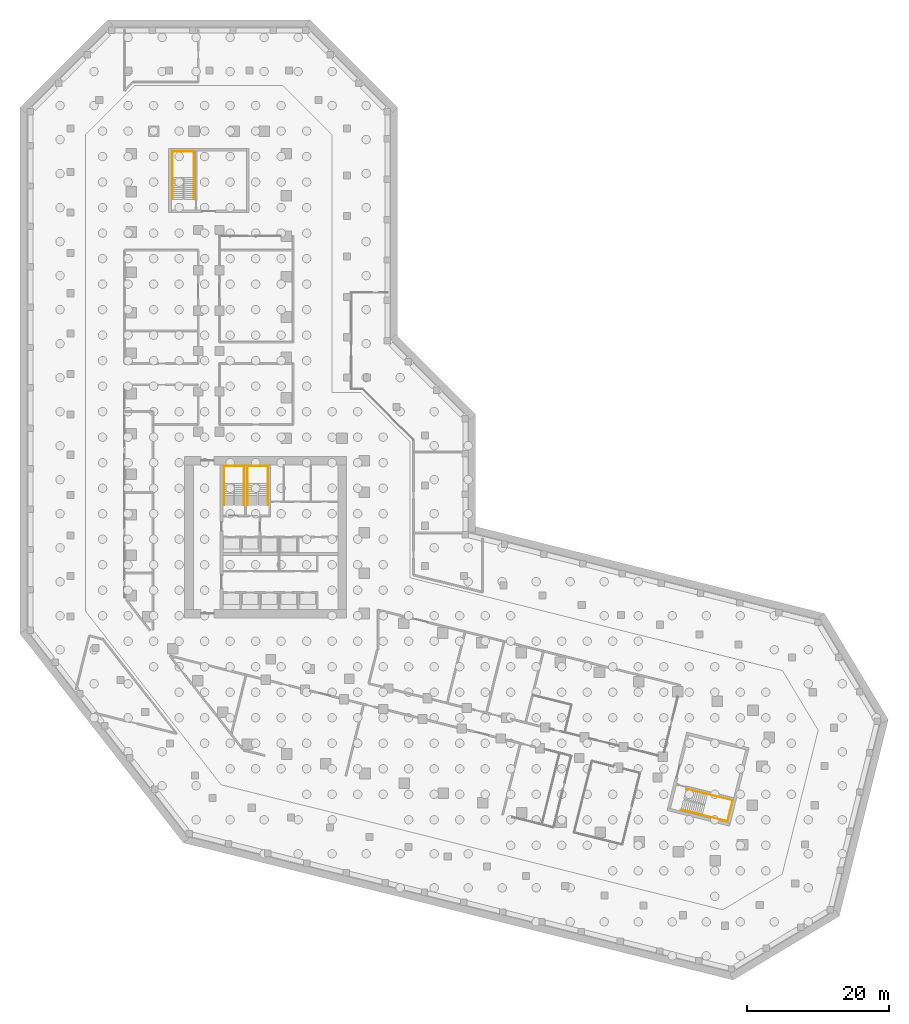
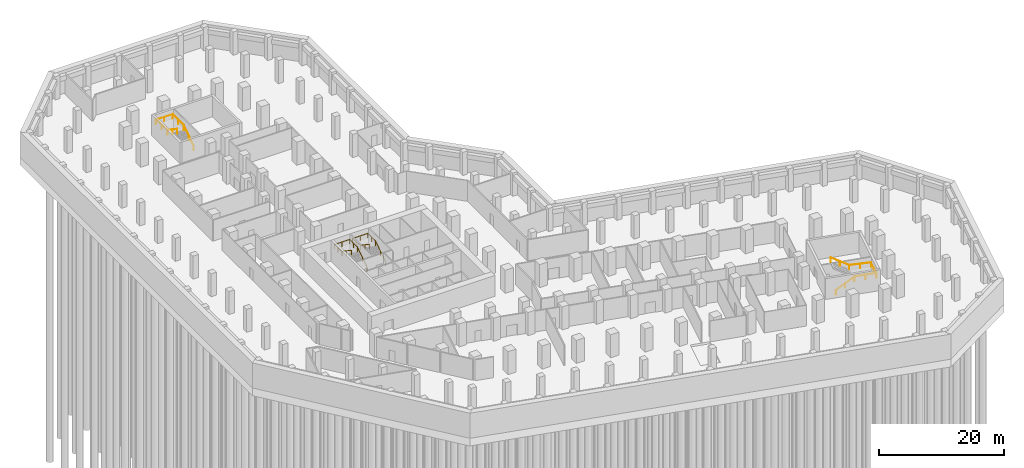
# One storey, part 14 of 15: 4 railings.
"""IFC4 building model written with IfcOpenShell, lengths in metres."""

from ifc_helpers import new_model, si_unit, direction, frame, origin, origin_2d, place, context, subcontext, project, spatial, circle, extrude, material, type_object, element, save


model = new_model("IFC4")

# Units and contexts
model_context = context("Model", 3, precision=1e-05, world=origin(), true_north=direction((0.0, 1.0)))
body_context = subcontext(model_context, "Body", "Model", "MODEL_VIEW")
ifc_project = project(units=[si_unit("LENGTHUNIT", "METRE"), si_unit("AREAUNIT", "SQUARE_METRE"), si_unit("VOLUMEUNIT", "CUBIC_METRE"), si_unit("PLANEANGLEUNIT", "RADIAN"), si_unit("MASSUNIT", "GRAM", prefix="KILO")], contexts=[model_context])

# Site, building, storey
site_placement = place(None, origin())
site = spatial("IfcSite", under=ifc_project, at=site_placement, CompositionType="ELEMENT")
building_placement = place(site_placement, origin())
building = spatial("IfcBuilding", under=site, at=building_placement, Name="Meshkara Civic Tower", CompositionType="ELEMENT")
storey_placement = place(building_placement, frame((0.0, 0.0, -9.0)))
storey = spatial("IfcBuildingStorey", under=building, at=storey_placement, Name="B2", CompositionType="ELEMENT", Elevation=-9.0)

# Railings
ifc_material = material(Name="Steel handrail", Category="steel")
railing_type = type_object("IfcRailingType", Name="Stair handrail 900", PredefinedType="HANDRAIL", material=ifc_material)
railing_1_placement = place(storey_placement, frame((16.375, 30.0, 0.1875)))
element("IfcRailing", 1, at=railing_1_placement, inside=storey, type_object=railing_type, Name="B2 ST1 stair handrail 1", PredefinedType="HANDRAIL", context=body_context, shape_type="SweptSolid", body=[
    extrude(circle(Radius=0.02392578125, at=origin_2d()), frame((0.0, 0.0, 0.8759765625), z_axis=(0.0, 0.830913701846, 0.55640131208), x_axis=(-1.0, 0.0, 0.0)), (0.0, 0.0, 1.0), 3.706787109375),
    extrude(circle(Radius=0.02392578125, at=origin_2d()), frame((0.0, 3.080078125, 2.9384765625), z_axis=(0.0, 1.0, 0.0), x_axis=(-1.0, 0.0, 0.0)), (0.0, 0.0, 1.0), 2.469970703125),
    extrude(circle(Radius=0.02392578125, at=origin_2d()), frame((0.0, 5.550048828125, 2.9384765625), z_axis=(-1.0, 0.0, 0.0), x_axis=(0.0, -1.0, 0.0)), (0.0, 0.0, 1.0), 2.85009765625),
    extrude(circle(Radius=0.02392578125, at=origin_2d()), frame((-2.85009765625, 5.550048828125, 2.9384765625), z_axis=(0.0, -0.997131090274, 0.075694047379), x_axis=(1.0, 0.0, 0.0)), (0.0, 0.0, 1.0), 2.47705078125),
    extrude(circle(Radius=0.02392578125, at=origin_2d()), frame((-2.85009765625, 3.080078125, 3.1259765625), z_axis=(0.0, -0.830913701846, 0.55640131208), x_axis=(1.0, 0.0, 0.0)), (0.0, 0.0, 1.0), 3.706787109375),
    extrude(circle(Radius=0.02099609375, at=origin_2d()), origin(), (0.0, 0.0, 1.0), 0.851806640625),
    extrude(circle(Radius=0.02099609375, at=origin_2d()), frame((0.0, 1.5400390625, 1.03125)), (0.0, 0.0, 1.0), 0.851806640625),
    extrude(circle(Radius=0.02099609375, at=origin_2d()), frame((0.0, 3.080078125, 2.0625)), (0.0, 0.0, 1.0), 0.851806640625),
    extrude(circle(Radius=0.02099609375, at=origin_2d()), frame((0.0, 4.31494140625, 2.0625)), (0.0, 0.0, 1.0), 0.851806640625),
    extrude(circle(Radius=0.02099609375, at=origin_2d()), frame((0.0, 5.550048828125, 2.0625)), (0.0, 0.0, 1.0), 0.851806640625),
    extrude(circle(Radius=0.02099609375, at=origin_2d()), frame((-1.425048828125, 5.550048828125, 2.0625)), (0.0, 0.0, 1.0), 0.851806640625),
    extrude(circle(Radius=0.02099609375, at=origin_2d()), frame((-2.85009765625, 5.550048828125, 2.0625)), (0.0, 0.0, 1.0), 0.851806640625),
    extrude(circle(Radius=0.02099609375, at=origin_2d()), frame((-2.85009765625, 4.31494140625, 2.15625)), (0.0, 0.0, 1.0), 0.851806640625),
    extrude(circle(Radius=0.02099609375, at=origin_2d()), frame((-2.85009765625, 3.080078125, 2.25)), (0.0, 0.0, 1.0), 0.851806640625),
    extrude(circle(Radius=0.02099609375, at=origin_2d()), frame((-2.85009765625, 1.5400390625, 3.28125)), (0.0, 0.0, 1.0), 0.851806640625),
    extrude(circle(Radius=0.02099609375, at=origin_2d()), frame((-2.85009765625, 0.0, 4.3125)), (0.0, 0.0, 1.0), 0.851806640625),
])
railing_2_placement = place(storey_placement, frame((19.72509765625, 30.0, 0.1875)))
element("IfcRailing", 2, at=railing_2_placement, inside=storey, type_object=railing_type, Name="B2 ST2 stair handrail 1", PredefinedType="HANDRAIL", context=body_context, shape_type="SweptSolid", body=[
    extrude(circle(Radius=0.02392578125, at=origin_2d()), frame((0.0, 0.0, 0.8759765625), z_axis=(0.0, 0.830913701846, 0.55640131208), x_axis=(-1.0, 0.0, 0.0)), (0.0, 0.0, 1.0), 3.706787109375),
    extrude(circle(Radius=0.02392578125, at=origin_2d()), frame((0.0, 3.080078125, 2.9384765625), z_axis=(0.0, 1.0, 0.0), x_axis=(-1.0, 0.0, 0.0)), (0.0, 0.0, 1.0), 2.469970703125),
    extrude(circle(Radius=0.02392578125, at=origin_2d()), frame((0.0, 5.550048828125, 2.9384765625), z_axis=(-1.0, 0.0, 0.0), x_axis=(0.0, -1.0, 0.0)), (0.0, 0.0, 1.0), 2.85009765625),
    extrude(circle(Radius=0.02392578125, at=origin_2d()), frame((-2.85009765625, 5.550048828125, 2.9384765625), z_axis=(0.0, -0.997131090274, 0.075694047379), x_axis=(1.0, 0.0, 0.0)), (0.0, 0.0, 1.0), 2.47705078125),
    extrude(circle(Radius=0.02392578125, at=origin_2d()), frame((-2.85009765625, 3.080078125, 3.1259765625), z_axis=(0.0, -0.830913701846, 0.55640131208), x_axis=(1.0, 0.0, 0.0)), (0.0, 0.0, 1.0), 3.706787109375),
    extrude(circle(Radius=0.02099609375, at=origin_2d()), origin(), (0.0, 0.0, 1.0), 0.851806640625),
    extrude(circle(Radius=0.02099609375, at=origin_2d()), frame((0.0, 1.5400390625, 1.03125)), (0.0, 0.0, 1.0), 0.851806640625),
    extrude(circle(Radius=0.02099609375, at=origin_2d()), frame((0.0, 3.080078125, 2.0625)), (0.0, 0.0, 1.0), 0.851806640625),
    extrude(circle(Radius=0.02099609375, at=origin_2d()), frame((0.0, 4.31494140625, 2.0625)), (0.0, 0.0, 1.0), 0.851806640625),
    extrude(circle(Radius=0.02099609375, at=origin_2d()), frame((0.0, 5.550048828125, 2.0625)), (0.0, 0.0, 1.0), 0.851806640625),
    extrude(circle(Radius=0.02099609375, at=origin_2d()), frame((-1.425048828125, 5.550048828125, 2.0625)), (0.0, 0.0, 1.0), 0.851806640625),
    extrude(circle(Radius=0.02099609375, at=origin_2d()), frame((-2.85009765625, 5.550048828125, 2.0625)), (0.0, 0.0, 1.0), 0.851806640625),
    extrude(circle(Radius=0.02099609375, at=origin_2d()), frame((-2.85009765625, 4.31494140625, 2.15625)), (0.0, 0.0, 1.0), 0.851806640625),
    extrude(circle(Radius=0.02099609375, at=origin_2d()), frame((-2.85009765625, 3.080078125, 2.25)), (0.0, 0.0, 1.0), 0.851806640625),
    extrude(circle(Radius=0.02099609375, at=origin_2d()), frame((-2.85009765625, 1.5400390625, 3.28125)), (0.0, 0.0, 1.0), 0.851806640625),
    extrude(circle(Radius=0.02099609375, at=origin_2d()), frame((-2.85009765625, 0.0, 4.3125)), (0.0, 0.0, 1.0), 0.851806640625),
])
railing_3_placement = place(storey_placement, frame((9.324951171875, 73.169921875, 0.1875)))
element("IfcRailing", 3, at=railing_3_placement, inside=storey, type_object=railing_type, Name="B2 ESA1 stair handrail 1", PredefinedType="HANDRAIL", context=body_context, shape_type="SweptSolid", body=[
    extrude(circle(Radius=0.02392578125, at=origin_2d()), frame((0.0, 0.0, 0.8759765625), z_axis=(0.0, 0.830913701846, 0.55640131208), x_axis=(-1.0, 0.0, 0.0)), (0.0, 0.0, 1.0), 3.706787109375),
    extrude(circle(Radius=0.02392578125, at=origin_2d()), frame((0.0, 3.080078125, 2.9384765625), z_axis=(0.0, 1.0, 0.0), x_axis=(-1.0, 0.0, 0.0)), (0.0, 0.0, 1.0), 3.669921875),
    extrude(circle(Radius=0.02392578125, at=origin_2d()), frame((0.0, 6.75, 2.9384765625), z_axis=(-1.0, 0.0, 0.0), x_axis=(0.0, -1.0, 0.0)), (0.0, 0.0, 1.0), 3.050048828125),
    extrude(circle(Radius=0.02392578125, at=origin_2d()), frame((-3.050048828125, 6.75, 2.9384765625), z_axis=(0.0, -0.998697404122, 0.051024454921), x_axis=(1.0, 0.0, 0.0)), (0.0, 0.0, 1.0), 3.6748046875),
    extrude(circle(Radius=0.02392578125, at=origin_2d()), frame((-3.050048828125, 3.080078125, 3.1259765625), z_axis=(0.0, -0.830913701846, 0.55640131208), x_axis=(1.0, 0.0, 0.0)), (0.0, 0.0, 1.0), 3.706787109375),
    extrude(circle(Radius=0.02099609375, at=origin_2d()), origin(), (0.0, 0.0, 1.0), 0.851806640625),
    extrude(circle(Radius=0.02099609375, at=origin_2d()), frame((0.0, 1.5400390625, 1.03125)), (0.0, 0.0, 1.0), 0.851806640625),
    extrude(circle(Radius=0.02099609375, at=origin_2d()), frame((0.0, 3.080078125, 2.0625)), (0.0, 0.0, 1.0), 0.851806640625),
    extrude(circle(Radius=0.02099609375, at=origin_2d()), frame((0.0, 4.9150390625, 2.0625)), (0.0, 0.0, 1.0), 0.851806640625),
    extrude(circle(Radius=0.02099609375, at=origin_2d()), frame((0.0, 6.75, 2.0625)), (0.0, 0.0, 1.0), 0.851806640625),
    extrude(circle(Radius=0.02099609375, at=origin_2d()), frame((-1.52490234375, 6.75, 2.0625)), (0.0, 0.0, 1.0), 0.851806640625),
    extrude(circle(Radius=0.02099609375, at=origin_2d()), frame((-3.050048828125, 6.75, 2.0625)), (0.0, 0.0, 1.0), 0.851806640625),
    extrude(circle(Radius=0.02099609375, at=origin_2d()), frame((-3.050048828125, 4.9150390625, 2.15625)), (0.0, 0.0, 1.0), 0.851806640625),
    extrude(circle(Radius=0.02099609375, at=origin_2d()), frame((-3.050048828125, 3.080078125, 2.25)), (0.0, 0.0, 1.0), 0.851806640625),
    extrude(circle(Radius=0.02099609375, at=origin_2d()), frame((-3.050048828125, 1.5400390625, 3.28125)), (0.0, 0.0, 1.0), 0.851806640625),
    extrude(circle(Radius=0.02099609375, at=origin_2d()), frame((-3.050048828125, 0.0, 4.3125)), (0.0, 0.0, 1.0), 0.851806640625),
])
railing_4_placement = place(storey_placement, frame((78.045166015625, -12.99169921875, 0.1875)))
element("IfcRailing", 4, at=railing_4_placement, inside=storey, type_object=railing_type, Name="B2 ESB1 stair handrail 1", PredefinedType="HANDRAIL", context=body_context, shape_type="SweptSolid", body=[
    extrude(circle(Radius=0.02392578125, at=origin_2d()), frame((0.0, 0.0, 0.8759765625), z_axis=(0.806205801396, -0.201139818435, 0.556394625455), x_axis=(0.242069343812, 0.970258951408, 0.0)), (0.0, 0.0, 1.0), 3.706787109375),
    extrude(circle(Radius=0.02392578125, at=origin_2d()), frame((2.988525390625, -0.74560546875, 2.9384765625), z_axis=(0.970255876456, -0.242081668456, 0.0), x_axis=(0.242081668456, 0.970255876456, 0.0)), (0.0, 0.0, 1.0), 3.669921875),
    extrude(circle(Radius=0.02392578125, at=origin_2d()), frame((6.54931640625, -1.634033203125, 2.9384765625), z_axis=(0.242064726708, 0.970260103315, 0.0), x_axis=(-0.970260103315, 0.242064726708, 0.0)), (0.0, 0.0, 1.0), 3.050048828125),
    extrude(circle(Radius=0.02392578125, at=origin_2d()), frame((7.28759765625, 1.3251953125, 2.9384765625), z_axis=(-0.968992044812, 0.241766338777, 0.051024058308), x_axis=(-0.242081668456, -0.970255876456, 0.0)), (0.0, 0.0, 1.0), 3.6748046875),
    extrude(circle(Radius=0.02392578125, at=origin_2d()), frame((3.726806640625, 2.213623046875, 3.1259765625), z_axis=(-0.806205801396, 0.201139818435, 0.556394625455), x_axis=(-0.242069343812, -0.970258951408, 0.0)), (0.0, 0.0, 1.0), 3.706787109375),
    extrude(circle(Radius=0.02099609375, at=origin_2d()), origin(), (0.0, 0.0, 1.0), 0.851806640625),
    extrude(circle(Radius=0.02099609375, at=origin_2d()), frame((1.494140625, -0.372802734375, 1.03125)), (0.0, 0.0, 1.0), 0.851806640625),
    extrude(circle(Radius=0.02099609375, at=origin_2d()), frame((2.988525390625, -0.74560546875, 2.0625)), (0.0, 0.0, 1.0), 0.851806640625),
    extrude(circle(Radius=0.02099609375, at=origin_2d()), frame((4.76904296875, -1.18994140625, 2.0625)), (0.0, 0.0, 1.0), 0.851806640625),
    extrude(circle(Radius=0.02099609375, at=origin_2d()), frame((6.54931640625, -1.634033203125, 2.0625)), (0.0, 0.0, 1.0), 0.851806640625),
    extrude(circle(Radius=0.02099609375, at=origin_2d()), frame((6.91845703125, -0.154296875, 2.0625)), (0.0, 0.0, 1.0), 0.851806640625),
    extrude(circle(Radius=0.02099609375, at=origin_2d()), frame((7.28759765625, 1.3251953125, 2.0625)), (0.0, 0.0, 1.0), 0.851806640625),
    extrude(circle(Radius=0.02099609375, at=origin_2d()), frame((5.50732421875, 1.76953125, 2.15625)), (0.0, 0.0, 1.0), 0.851806640625),
    extrude(circle(Radius=0.02099609375, at=origin_2d()), frame((3.726806640625, 2.213623046875, 2.25)), (0.0, 0.0, 1.0), 0.851806640625),
    extrude(circle(Radius=0.02099609375, at=origin_2d()), frame((2.232421875, 2.58642578125, 3.28125)), (0.0, 0.0, 1.0), 0.851806640625),
    extrude(circle(Radius=0.02099609375, at=origin_2d()), frame((0.73828125, 2.959228515625, 4.3125)), (0.0, 0.0, 1.0), 0.851806640625),
])

save(model, "model.ifc")
